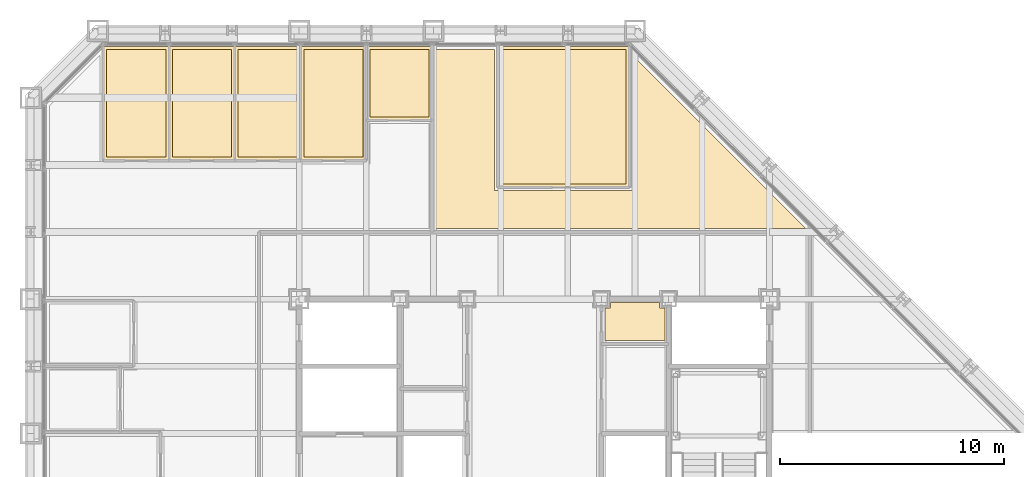
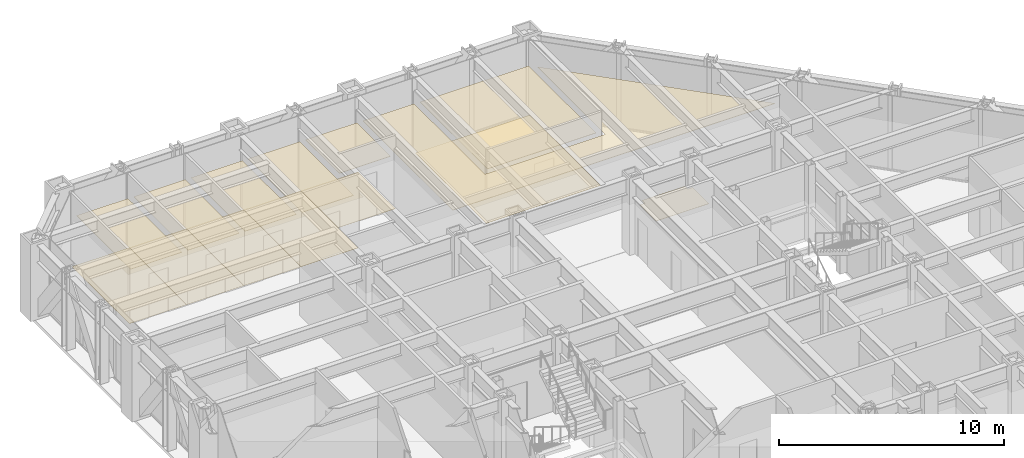
# One storey, part 16 of 16: 14 coverings.
"""IFC4 building model written with IfcOpenShell, lengths in metres."""

from ifc_helpers import new_model, si_unit, direction, frame, origin, place, context, subcontext, project, spatial, polyline, outline, extrude, material, layer, layer_set, type_object, element, save


model = new_model("IFC4")

# Units and contexts
model_context = context("Model", 3, precision=1e-05, world=origin(), true_north=direction((0.0, 1.0)))
body_context = subcontext(model_context, "Body", "Model", "MODEL_VIEW")
ifc_project = project(units=[si_unit("LENGTHUNIT", "METRE"), si_unit("AREAUNIT", "SQUARE_METRE"), si_unit("VOLUMEUNIT", "CUBIC_METRE"), si_unit("PLANEANGLEUNIT", "RADIAN"), si_unit("MASSUNIT", "GRAM", prefix="KILO")], contexts=[model_context])

# Site, building, storey
site_placement = place(None, origin())
site = spatial("IfcSite", under=ifc_project, at=site_placement, CompositionType="ELEMENT")
building_placement = place(site_placement, origin())
building = spatial("IfcBuilding", under=site, at=building_placement, Name="Chuquiago Exchange Tower", CompositionType="ELEMENT")
storey_placement = place(building_placement, frame((0.0, 0.0, 127.800048828125)))
storey = spatial("IfcBuildingStorey", under=building, at=storey_placement, Name="L27", CompositionType="ELEMENT", Elevation=127.800048828125)

# Coverings
ifc_material_1 = material(Name="Mineral fibre tile, 600 x 600, on pale metal grid", Category="mineral fibre")
ifc_layer_1 = layer(ifc_material_1, 0.02001953125)
ifc_layer_set_1 = layer_set([ifc_layer_1], Name="CL1 suspended tile ceiling 20")
covering_type_1 = type_object("IfcCoveringType", Name="CL1 suspended tile ceiling 20", PredefinedType="CEILING", material=ifc_layer_set_1)
covering_1_placement = place(storey_placement, frame((0.0, 0.0, 2.800048828125)))
element("IfcCovering", 1, at=covering_1_placement, inside=storey, type_object=covering_type_1, Name="Ceiling Office", PredefinedType="CEILING", context=body_context, shape_type="SweptSolid", body=[
    extrude(outline(polyline([(6.036376953125, 44.14990234375), (6.036376953125, 39.35009765625), (3.3984375, 39.35009765625), (3.3984375, 44.14990234375), (6.036376953125, 44.14990234375)])), origin(), (0.0, 0.0, 1.0), 0.02001953125),
])
covering_2_placement = place(storey_placement, frame((0.0, 0.0, 2.800048828125)))
element("IfcCovering", 2, at=covering_2_placement, inside=storey, type_object=covering_type_1, Name="Ceiling Office", PredefinedType="CEILING", context=body_context, shape_type="SweptSolid", body=[
    extrude(outline(polyline([(8.974365234375, 39.35009765625), (6.33642578125, 39.35009765625), (6.33642578125, 44.14990234375), (8.974365234375, 44.14990234375), (8.974365234375, 39.35009765625)])), origin(), (0.0, 0.0, 1.0), 0.02001953125),
])
covering_3_placement = place(storey_placement, frame((0.0, 0.0, 2.800048828125)))
element("IfcCovering", 3, at=covering_3_placement, inside=storey, type_object=covering_type_1, Name="Ceiling Office", PredefinedType="CEILING", context=body_context, shape_type="SweptSolid", body=[
    extrude(outline(polyline([(11.912109375, 39.35009765625), (9.2744140625, 39.35009765625), (9.2744140625, 44.14990234375), (11.912109375, 44.14990234375), (11.912109375, 39.35009765625)])), origin(), (0.0, 0.0, 1.0), 0.02001953125),
])
covering_4_placement = place(storey_placement, frame((0.0, 0.0, 2.800048828125)))
element("IfcCovering", 4, at=covering_4_placement, inside=storey, type_object=covering_type_1, Name="Ceiling Meeting room", PredefinedType="CEILING", context=body_context, shape_type="SweptSolid", body=[
    extrude(outline(polyline([(14.85009765625, 39.35009765625), (12.212158203125, 39.35009765625), (12.212158203125, 44.14990234375), (14.85009765625, 44.14990234375), (14.85009765625, 39.35009765625)])), origin(), (0.0, 0.0, 1.0), 0.02001953125),
])
covering_5_placement = place(storey_placement, frame((0.0, 0.0, 2.800048828125)))
element("IfcCovering", 5, at=covering_5_placement, inside=storey, type_object=covering_type_1, Name="Ceiling Focus room", PredefinedType="CEILING", context=body_context, shape_type="SweptSolid", body=[
    extrude(outline(polyline([(17.787841796875, 41.14990234375), (15.14990234375, 41.14990234375), (15.14990234375, 44.14990234375), (17.787841796875, 44.14990234375), (17.787841796875, 41.14990234375)])), origin(), (0.0, 0.0, 1.0), 0.02001953125),
])
covering_6_placement = place(storey_placement, frame((0.0, 0.0, 2.800048828125)))
element("IfcCovering", 6, at=covering_6_placement, inside=storey, type_object=covering_type_1, Name="Ceiling Risk management office", PredefinedType="CEILING", context=body_context, shape_type="SweptSolid", body=[
    extrude(outline(polyline([(26.6015625, 38.14990234375), (21.025634765625, 38.14990234375), (21.025634765625, 44.14990234375), (26.6015625, 44.14990234375), (26.6015625, 38.14990234375)])), origin(), (0.0, 0.0, 1.0), 0.02001953125),
])
covering_7_placement = place(storey_placement, frame((0.0, 0.0, 2.800048828125)))
element("IfcCovering", 7, at=covering_7_placement, inside=storey, type_object=covering_type_1, Name="Ceiling Open office east suite", PredefinedType="CEILING", context=body_context, shape_type="SweptSolid", body=[
    extrude(outline(polyline([(20.7255859375, 37.85009765625), (26.901611328125, 37.85009765625), (26.901611328125, 43.896484375), (34.64794921875, 36.150146484375), (18.08837890625, 36.150390625), (18.08837890625, 44.14990234375), (20.7255859375, 44.14990234375), (20.7255859375, 37.85009765625)])), origin(), (0.0, 0.0, 1.0), 0.02001953125),
])
ifc_material_2 = material(Name="Moisture resistant plasterboard on metal frame", Category="gypsum")
ifc_layer_2 = layer(ifc_material_2, 0.014892578125)
ifc_layer_set_2 = layer_set([ifc_layer_2], Name="CL2 moisture resistant ceiling 15")
covering_type_2 = type_object("IfcCoveringType", Name="CL2 moisture resistant ceiling 15", PredefinedType="CEILING", material=ifc_layer_set_2)
covering_8_placement = place(storey_placement, frame((0.0, 0.0, 2.599853515625)))
element("IfcCovering", 8, at=covering_8_placement, inside=storey, type_object=covering_type_2, Name="Ceiling Staff shower room", PredefinedType="CEILING", context=body_context, shape_type="SweptSolid", body=[
    extrude(outline(polyline([(25.64990234375, 31.14990234375), (25.64990234375, 32.60009765625), (25.89990234375, 32.60009765625), (25.89990234375, 32.85009765625), (28.10009765625, 32.85009765625), (28.10009765625, 32.60009765625), (28.35009765625, 32.60009765625), (28.35009765625, 31.14990234375), (25.64990234375, 31.14990234375)])), origin(), (0.0, 0.0, 1.0), 0.01513671875),
])
ifc_material_3 = material(Name="Carpet tile, 500 x 500, on the floor slab", Category="textile")
ifc_layer_3 = layer(ifc_material_3, 0.010009765625)
ifc_layer_set_3 = layer_set([ifc_layer_3], Name="FL1 carpet tile 10")
covering_type_3 = type_object("IfcCoveringType", Name="FL1 carpet tile 10", PredefinedType="FLOORING", material=ifc_layer_set_3)
covering_9_placement = place(storey_placement, origin())
element("IfcCovering", 9, at=covering_9_placement, inside=storey, type_object=covering_type_3, Name="Floor finish Office", PredefinedType="FLOORING", context=body_context, shape_type="SweptSolid", body=[
    extrude(outline(polyline([(3.289794921875, 44.300048828125), (6.186279296875, 44.300048828125), (6.186279296875, 39.199951171875), (3.24853515625, 39.199951171875), (3.24853515625, 44.258544921875), (3.289794921875, 44.300048828125)])), origin(), (0.0, 0.0, 1.0), 0.010009765625),
])
covering_10_placement = place(storey_placement, origin())
element("IfcCovering", 10, at=covering_10_placement, inside=storey, type_object=covering_type_3, Name="Floor finish Office", PredefinedType="FLOORING", context=body_context, shape_type="SweptSolid", body=[
    extrude(outline(polyline([(9.124267578125, 44.300048828125), (9.124267578125, 39.199951171875), (6.186279296875, 39.199951171875), (6.186279296875, 44.300048828125), (9.124267578125, 44.300048828125)])), origin(), (0.0, 0.0, 1.0), 0.010009765625),
])
covering_11_placement = place(storey_placement, origin())
element("IfcCovering", 11, at=covering_11_placement, inside=storey, type_object=covering_type_3, Name="Floor finish Office", PredefinedType="FLOORING", context=body_context, shape_type="SweptSolid", body=[
    extrude(outline(polyline([(12.06201171875, 44.300048828125), (12.06201171875, 39.199951171875), (9.124267578125, 39.199951171875), (9.124267578125, 44.300048828125), (12.06201171875, 44.300048828125)])), origin(), (0.0, 0.0, 1.0), 0.010009765625),
])
covering_12_placement = place(storey_placement, origin())
element("IfcCovering", 12, at=covering_12_placement, inside=storey, type_object=covering_type_3, Name="Floor finish Meeting room", PredefinedType="FLOORING", context=body_context, shape_type="SweptSolid", body=[
    extrude(outline(polyline([(15.0, 44.300048828125), (15.0, 39.199951171875), (12.06201171875, 39.199951171875), (12.06201171875, 44.300048828125), (15.0, 44.300048828125)])), origin(), (0.0, 0.0, 1.0), 0.010009765625),
])
covering_13_placement = place(storey_placement, origin())
element("IfcCovering", 13, at=covering_13_placement, inside=storey, type_object=covering_type_3, Name="Floor finish Focus room", PredefinedType="FLOORING", context=body_context, shape_type="SweptSolid", body=[
    extrude(outline(polyline([(17.93798828125, 44.300048828125), (17.93798828125, 41.0), (15.0, 41.0), (15.0, 44.300048828125), (17.93798828125, 44.300048828125)])), origin(), (0.0, 0.0, 1.0), 0.010009765625),
])
covering_14_placement = place(storey_placement, origin())
element("IfcCovering", 14, at=covering_14_placement, inside=storey, type_object=covering_type_3, Name="Floor finish Risk management office", PredefinedType="FLOORING", context=body_context, shape_type="SweptSolid", body=[
    extrude(outline(polyline([(26.710205078125, 44.300048828125), (26.75146484375, 44.258544921875), (26.75146484375, 38.0), (20.875732421875, 38.0), (20.875732421875, 44.300048828125), (26.710205078125, 44.300048828125)])), origin(), (0.0, 0.0, 1.0), 0.010009765625),
])

save(model, "model.ifc")
